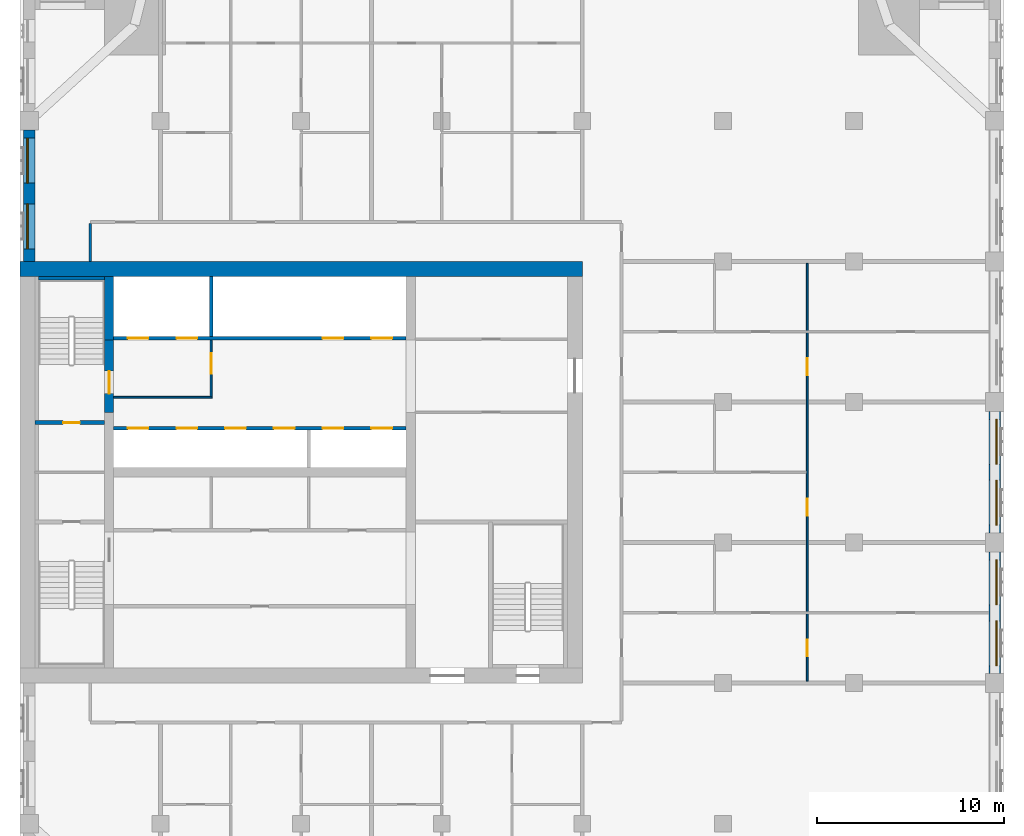
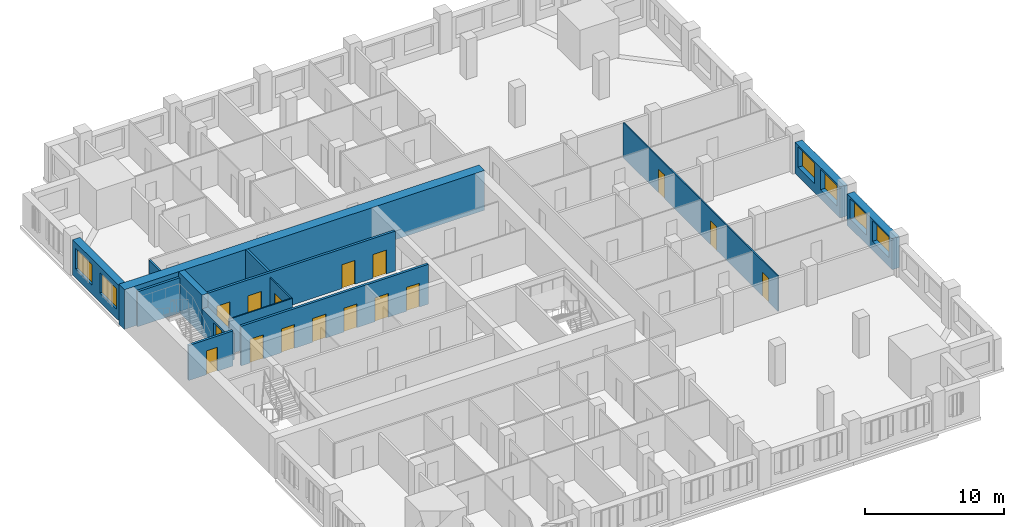
# One storey, part 9 of 14: 16 doors, 15 walls, 6 windows, 22 openings.
"""IFC4 building model written with IfcOpenShell, lengths in metres."""

from ifc_helpers import new_model, si_unit, direction, frame, frame_2d, origin, place, context, subcontext, project, spatial, rectangle, extrude, material, layer, layer_set, type_object, element, fill, save


model = new_model("IFC4")

# Units and contexts
model_context = context("Model", 3, precision=1e-05, world=origin(), true_north=direction((0.0, 1.0)))
body_context = subcontext(model_context, "Body", "Model", "MODEL_VIEW")
ifc_project = project(units=[si_unit("LENGTHUNIT", "METRE"), si_unit("AREAUNIT", "SQUARE_METRE"), si_unit("VOLUMEUNIT", "CUBIC_METRE"), si_unit("PLANEANGLEUNIT", "RADIAN"), si_unit("MASSUNIT", "GRAM", prefix="KILO")], contexts=[model_context])

# Site, building, storey
site_placement = place(None, origin())
site = spatial("IfcSite", under=ifc_project, at=site_placement, CompositionType="ELEMENT")
building_placement = place(site_placement, origin())
building = spatial("IfcBuilding", under=site, at=building_placement, Name="Tamorin Gate", CompositionType="ELEMENT")
storey_placement = place(building_placement, frame((0.0, 0.0, 210.699951171875)))
storey = spatial("IfcBuildingStorey", under=building, at=storey_placement, Name="L52", CompositionType="ELEMENT", Elevation=210.699951171875)

# Wall, openings, windows
ifc_material_1 = material(Name="Precast concrete C40/50", Category="concrete")
ifc_layer_1 = layer(ifc_material_1, 0.60009765625)
ifc_layer_set_1 = layer_set([ifc_layer_1], Name="Precast concrete C40/50")
wall_type_1 = type_object("IfcWallType", Name="Board-marked concrete facade panel 600", PredefinedType="SOLIDWALL", material=ifc_layer_set_1)
wall_1_placement = place(storey_placement, frame((82.0, 60.5, 0.0), z_axis=(0.0, 0.0, 1.0), x_axis=(0.0, 1.0, 0.0)))
wall_1 = element("IfcWall", 1, at=wall_1_placement, inside=storey, type_object=wall_type_1, Name="Facade panel", PredefinedType="SOLIDWALL", context=body_context, shape_type="SweptSolid", body=[
    extrude(rectangle(XDim=6.5, YDim=0.60009765625, at=frame_2d((3.25, 0.0))), origin(), (0.0, 0.0, 1.0), 2.75),
])
opening_1_placement = place(wall_1_placement, frame((0.425048828125, 0.0, 0.800048828125)))
opening_1 = element("IfcOpeningElement", 2, at=opening_1_placement, cuts=wall_1, Name="Opening WN1", PredefinedType="OPENING", context=body_context, shape_type="SweptSolid", body=[
    extrude(rectangle(XDim=2.39990234375, YDim=1.800048828125, at=frame_2d((1.199951171875, 0.89990234375))), frame((0.0, 0.31005859375, 0.0), z_axis=(0.0, -1.0, 0.0), x_axis=(1.0, 0.0, 0.0)), (0.0, 0.0, 1.0), 0.6201171875),
])
opening_2_placement = place(wall_1_placement, frame((3.675048828125, 0.0, 0.800048828125)))
opening_2 = element("IfcOpeningElement", 3, at=opening_2_placement, cuts=wall_1, Name="Opening WN1", PredefinedType="OPENING", context=body_context, shape_type="SweptSolid", body=[
    extrude(rectangle(XDim=2.39990234375, YDim=1.800048828125, at=frame_2d((1.199951171875, 0.89990234375))), frame((0.0, 0.31005859375, 0.0), z_axis=(0.0, -1.0, 0.0), x_axis=(1.0, 0.0, 0.0)), (0.0, 0.0, 1.0), 0.6201171875),
])
ifc_material_2 = material(Name="Clear glass in aluminium frame", Category="aluminium")
window_type = type_object("IfcWindowType", Name="Deep-set window 2400x1800", PartitioningType="SINGLE_PANEL", PredefinedType="WINDOW", material=ifc_material_2)
window_1_placement = place(opening_1_placement, origin())
window_1 = element("IfcWindow", 4, at=window_1_placement, inside=storey, type_object=window_type, Name="Deep-set window", OverallHeight=1.800048828125, OverallWidth=2.39990234375, PartitioningType="SINGLE_PANEL", PredefinedType="WINDOW", context=body_context, shape_type="SweptSolid", body=[
    extrude(rectangle(XDim=2.39990234375, YDim=1.800048828125, at=frame_2d((1.199951171875, 0.89990234375))), frame((0.0, -0.070068359375, 0.0), z_axis=(0.0, -1.0, 0.0), x_axis=(1.0, 0.0, 0.0)), (0.0, 0.0, 1.0), 0.06005859375),
])
fill(opening_1, window_1)
window_2_placement = place(opening_2_placement, origin())
window_2 = element("IfcWindow", 5, at=window_2_placement, inside=storey, type_object=window_type, Name="Deep-set window", OverallHeight=1.800048828125, OverallWidth=2.39990234375, PartitioningType="SINGLE_PANEL", PredefinedType="WINDOW", context=body_context, shape_type="SweptSolid", body=[
    extrude(rectangle(XDim=2.39990234375, YDim=1.800048828125, at=frame_2d((1.199951171875, 0.89990234375))), frame((0.0, -0.070068359375, 0.0), z_axis=(0.0, -1.0, 0.0), x_axis=(1.0, 0.0, 0.0)), (0.0, 0.0, 1.0), 0.06005859375),
])
fill(opening_2, window_2)

wall_2_placement = place(storey_placement, frame((82.0, 68.0, 0.0), z_axis=(0.0, 0.0, 1.0), x_axis=(0.0, 1.0, 0.0)))
wall_2 = element("IfcWall", 6, at=wall_2_placement, inside=storey, type_object=wall_type_1, Name="Facade panel", PredefinedType="SOLIDWALL", context=body_context, shape_type="SweptSolid", body=[
    extrude(rectangle(XDim=6.5, YDim=0.60009765625, at=frame_2d((3.25, 0.0))), origin(), (0.0, 0.0, 1.0), 2.75),
])
opening_3_placement = place(wall_2_placement, frame((0.425048828125, 0.0, 0.800048828125)))
opening_3 = element("IfcOpeningElement", 7, at=opening_3_placement, cuts=wall_2, Name="Opening WN1", PredefinedType="OPENING", context=body_context, shape_type="SweptSolid", body=[
    extrude(rectangle(XDim=2.39990234375, YDim=1.800048828125, at=frame_2d((1.199951171875, 0.89990234375))), frame((0.0, 0.31005859375, 0.0), z_axis=(0.0, -1.0, 0.0), x_axis=(1.0, 0.0, 0.0)), (0.0, 0.0, 1.0), 0.6201171875),
])
opening_4_placement = place(wall_2_placement, frame((3.675048828125, 0.0, 0.800048828125)))
opening_4 = element("IfcOpeningElement", 8, at=opening_4_placement, cuts=wall_2, Name="Opening WN1", PredefinedType="OPENING", context=body_context, shape_type="SweptSolid", body=[
    extrude(rectangle(XDim=2.39990234375, YDim=1.800048828125, at=frame_2d((1.199951171875, 0.89990234375))), frame((0.0, 0.31005859375, 0.0), z_axis=(0.0, -1.0, 0.0), x_axis=(1.0, 0.0, 0.0)), (0.0, 0.0, 1.0), 0.6201171875),
])
window_3_placement = place(opening_3_placement, origin())
window_3 = element("IfcWindow", 9, at=window_3_placement, inside=storey, type_object=window_type, Name="Deep-set window", OverallHeight=1.800048828125, OverallWidth=2.39990234375, PartitioningType="SINGLE_PANEL", PredefinedType="WINDOW", context=body_context, shape_type="SweptSolid", body=[
    extrude(rectangle(XDim=2.39990234375, YDim=1.800048828125, at=frame_2d((1.199951171875, 0.89990234375))), frame((0.0, -0.070068359375, 0.0), z_axis=(0.0, -1.0, 0.0), x_axis=(1.0, 0.0, 0.0)), (0.0, 0.0, 1.0), 0.06005859375),
])
fill(opening_3, window_3)
window_4_placement = place(opening_4_placement, origin())
window_4 = element("IfcWindow", 10, at=window_4_placement, inside=storey, type_object=window_type, Name="Deep-set window", OverallHeight=1.800048828125, OverallWidth=2.39990234375, PartitioningType="SINGLE_PANEL", PredefinedType="WINDOW", context=body_context, shape_type="SweptSolid", body=[
    extrude(rectangle(XDim=2.39990234375, YDim=1.800048828125, at=frame_2d((1.199951171875, 0.89990234375))), frame((0.0, -0.070068359375, 0.0), z_axis=(0.0, -1.0, 0.0), x_axis=(1.0, 0.0, 0.0)), (0.0, 0.0, 1.0), 0.06005859375),
])
fill(opening_4, window_4)

wall_3_placement = place(storey_placement, frame((30.5, 89.5, 0.0), z_axis=(0.0, 0.0, 1.0), x_axis=(0.0, -1.0, 0.0)))
wall_3 = element("IfcWall", 11, at=wall_3_placement, inside=storey, type_object=wall_type_1, Name="Facade panel", PredefinedType="SOLIDWALL", context=body_context, shape_type="SweptSolid", body=[
    extrude(rectangle(XDim=7.0, YDim=0.60009765625, at=frame_2d((3.5, 0.0))), origin(), (0.0, 0.0, 1.0), 3.10009765625),
])
opening_5_placement = place(wall_3_placement, frame((3.925048828125, 0.0, 0.800048828125)))
opening_5 = element("IfcOpeningElement", 12, at=opening_5_placement, cuts=wall_3, Name="Opening WN1", PredefinedType="OPENING", context=body_context, shape_type="SweptSolid", body=[
    extrude(rectangle(XDim=2.39990234375, YDim=1.800048828125, at=frame_2d((1.199951171875, 0.89990234375))), frame((0.0, 0.31005859375, 0.0), z_axis=(0.0, -1.0, 0.0), x_axis=(1.0, 0.0, 0.0)), (0.0, 0.0, 1.0), 0.6201171875),
])
opening_6_placement = place(wall_3_placement, frame((0.425048828125, 0.0, 0.800048828125)))
opening_6 = element("IfcOpeningElement", 13, at=opening_6_placement, cuts=wall_3, Name="Opening WN1", PredefinedType="OPENING", context=body_context, shape_type="SweptSolid", body=[
    extrude(rectangle(XDim=2.39990234375, YDim=1.800048828125, at=frame_2d((1.199951171875, 0.89990234375))), frame((0.0, 0.31005859375, 0.0), z_axis=(0.0, -1.0, 0.0), x_axis=(1.0, 0.0, 0.0)), (0.0, 0.0, 1.0), 0.6201171875),
])
window_5_placement = place(opening_5_placement, origin())
window_5 = element("IfcWindow", 14, at=window_5_placement, inside=storey, type_object=window_type, Name="Deep-set window", OverallHeight=1.800048828125, OverallWidth=2.39990234375, PartitioningType="SINGLE_PANEL", PredefinedType="WINDOW", context=body_context, shape_type="SweptSolid", body=[
    extrude(rectangle(XDim=2.39990234375, YDim=1.800048828125, at=frame_2d((1.199951171875, 0.89990234375))), frame((0.0, -0.070068359375, 0.0), z_axis=(0.0, -1.0, 0.0), x_axis=(1.0, 0.0, 0.0)), (0.0, 0.0, 1.0), 0.06005859375),
])
fill(opening_5, window_5)
window_6_placement = place(opening_6_placement, origin())
window_6 = element("IfcWindow", 15, at=window_6_placement, inside=storey, type_object=window_type, Name="Deep-set window", OverallHeight=1.800048828125, OverallWidth=2.39990234375, PartitioningType="SINGLE_PANEL", PredefinedType="WINDOW", context=body_context, shape_type="SweptSolid", body=[
    extrude(rectangle(XDim=2.39990234375, YDim=1.800048828125, at=frame_2d((1.199951171875, 0.89990234375))), frame((0.0, -0.070068359375, 0.0), z_axis=(0.0, -1.0, 0.0), x_axis=(1.0, 0.0, 0.0)), (0.0, 0.0, 1.0), 0.06005859375),
])
fill(opening_6, window_6)

# Wall
ifc_material_3 = material(Name="Gypsum board partition")
ifc_layer_2 = layer(ifc_material_3, 0.14990234375)
ifc_layer_set_2 = layer_set([ifc_layer_2], Name="Corridor wall 150")
wall_type_2 = type_object("IfcWallType", Name="Corridor wall 150", PredefinedType="PARTITIONING", material=ifc_layer_set_2)
wall_4_placement = place(storey_placement, frame((33.75, 82.5, 0.0), z_axis=(0.0, 0.0, 1.0), x_axis=(0.0, 1.0, 0.0)))
element("IfcWall", 16, at=wall_4_placement, inside=storey, type_object=wall_type_2, Name="Corridor wall 150", PredefinedType="PARTITIONING", context=body_context, shape_type="SweptSolid", body=[
    extrude(rectangle(XDim=2.02490234375, YDim=0.14990234375, at=frame_2d((1.012451171875, 0.0))), origin(), (0.0, 0.0, 1.0), 3.10009765625),
])

# Wall, openings, doors
ifc_material_4 = material(Name="Concrete C32/40", Category="concrete")
ifc_layer_3 = layer(ifc_material_4, 0.199951171875)
ifc_layer_set_3 = layer_set([ifc_layer_3], Name="Lift lobby face wall 200 EI 120")
wall_type_3 = type_object("IfcWallType", Name="Lift lobby face wall 200 EI 120", PredefinedType="SOLIDWALL", material=ifc_layer_set_3)
wall_5_placement = place(storey_placement, frame((35.0, 73.60009765625, 0.0), z_axis=(0.0, 0.0, 1.0), x_axis=(1.0, 0.0, 0.0)))
wall_5 = element("IfcWall", 17, at=wall_5_placement, inside=storey, type_object=wall_type_3, Name="Lift lobby face wall", PredefinedType="SOLIDWALL", context=body_context, shape_type="SweptSolid", body=[
    extrude(rectangle(XDim=15.60009765625, YDim=0.199951171875, at=frame_2d((7.800048828125, 0.0))), origin(), (0.0, 0.0, 1.0), 3.5),
])
opening_7_placement = place(wall_5_placement, frame((0.75, 0.0, 0.0)))
opening_7 = element("IfcOpeningElement", 18, at=opening_7_placement, cuts=wall_5, Name="Opening LD11", PredefinedType="OPENING", context=body_context, shape_type="SweptSolid", body=[
    extrude(rectangle(XDim=1.10009765625, YDim=2.10009765625, at=frame_2d((0.550048828125, 1.050048828125))), frame((0.0, 0.10986328125, 0.0), z_axis=(0.0, -1.0, 0.0), x_axis=(1.0, 0.0, 0.0)), (0.0, 0.0, 1.0), 0.219970703125),
])
opening_8_placement = place(wall_5_placement, frame((3.35009765625, 0.0, 0.0)))
opening_8 = element("IfcOpeningElement", 19, at=opening_8_placement, cuts=wall_5, Name="Opening LD12", PredefinedType="OPENING", context=body_context, shape_type="SweptSolid", body=[
    extrude(rectangle(XDim=1.10009765625, YDim=2.10009765625, at=frame_2d((0.550048828125, 1.050048828125))), frame((0.0, 0.10986328125, 0.0), z_axis=(0.0, -1.0, 0.0), x_axis=(1.0, 0.0, 0.0)), (0.0, 0.0, 1.0), 0.219970703125),
])
opening_9_placement = place(wall_5_placement, frame((5.949951171875, 0.0, 0.0)))
opening_9 = element("IfcOpeningElement", 20, at=opening_9_placement, cuts=wall_5, Name="Opening LD13", PredefinedType="OPENING", context=body_context, shape_type="SweptSolid", body=[
    extrude(rectangle(XDim=1.10009765625, YDim=2.10009765625, at=frame_2d((0.550048828125, 1.050048828125))), frame((0.0, 0.10986328125, 0.0), z_axis=(0.0, -1.0, 0.0), x_axis=(1.0, 0.0, 0.0)), (0.0, 0.0, 1.0), 0.219970703125),
])
opening_10_placement = place(wall_5_placement, frame((8.550048828125, 0.0, 0.0)))
opening_10 = element("IfcOpeningElement", 21, at=opening_10_placement, cuts=wall_5, Name="Opening LD14", PredefinedType="OPENING", context=body_context, shape_type="SweptSolid", body=[
    extrude(rectangle(XDim=1.10009765625, YDim=2.10009765625, at=frame_2d((0.550048828125, 1.050048828125))), frame((0.0, 0.10986328125, 0.0), z_axis=(0.0, -1.0, 0.0), x_axis=(1.0, 0.0, 0.0)), (0.0, 0.0, 1.0), 0.219970703125),
])
opening_11_placement = place(wall_5_placement, frame((11.14990234375, 0.0, 0.0)))
opening_11 = element("IfcOpeningElement", 22, at=opening_11_placement, cuts=wall_5, Name="Opening LD15", PredefinedType="OPENING", context=body_context, shape_type="SweptSolid", body=[
    extrude(rectangle(XDim=1.10009765625, YDim=2.10009765625, at=frame_2d((0.550048828125, 1.050048828125))), frame((0.0, 0.10986328125, 0.0), z_axis=(0.0, -1.0, 0.0), x_axis=(1.0, 0.0, 0.0)), (0.0, 0.0, 1.0), 0.219970703125),
])
opening_12_placement = place(wall_5_placement, frame((13.75, 0.0, 0.0)))
opening_12 = element("IfcOpeningElement", 23, at=opening_12_placement, cuts=wall_5, Name="Opening LD16", PredefinedType="OPENING", context=body_context, shape_type="SweptSolid", body=[
    extrude(rectangle(XDim=1.10009765625, YDim=2.10009765625, at=frame_2d((0.550048828125, 1.050048828125))), frame((0.0, 0.10986328125, 0.0), z_axis=(0.0, -1.0, 0.0), x_axis=(1.0, 0.0, 0.0)), (0.0, 0.0, 1.0), 0.219970703125),
])
ifc_material_5 = material(Name="Stainless steel sliding door", Category="steel")
door_type_1 = type_object("IfcDoorType", Name="Lift landing door 1100 x 2100 E 90", OperationType="DOUBLE_DOOR_SLIDING", PredefinedType="DOOR", material=ifc_material_5)
door_1_placement = place(opening_7_placement, origin())
door_1 = element("IfcDoor", 24, at=door_1_placement, inside=storey, type_object=door_type_1, Name="HR1 landing door", OperationType="DOUBLE_DOOR_SLIDING", OverallHeight=2.10009765625, OverallWidth=1.10009765625, PredefinedType="DOOR", context=body_context, shape_type="SweptSolid", body=[
    extrude(rectangle(XDim=1.10009765625, YDim=2.10009765625, at=frame_2d((0.550048828125, 1.050048828125))), frame((0.0, 0.02490234375, 0.0), z_axis=(0.0, -1.0, 0.0), x_axis=(1.0, 0.0, 0.0)), (0.0, 0.0, 1.0), 0.050048828125),
])
fill(opening_7, door_1)
door_2_placement = place(opening_8_placement, origin())
door_2 = element("IfcDoor", 25, at=door_2_placement, inside=storey, type_object=door_type_1, Name="HR2 landing door", OperationType="DOUBLE_DOOR_SLIDING", OverallHeight=2.10009765625, OverallWidth=1.10009765625, PredefinedType="DOOR", context=body_context, shape_type="SweptSolid", body=[
    extrude(rectangle(XDim=1.10009765625, YDim=2.10009765625, at=frame_2d((0.550048828125, 1.050048828125))), frame((0.0, 0.02490234375, 0.0), z_axis=(0.0, -1.0, 0.0), x_axis=(1.0, 0.0, 0.0)), (0.0, 0.0, 1.0), 0.050048828125),
])
fill(opening_8, door_2)
door_3_placement = place(opening_9_placement, origin())
door_3 = element("IfcDoor", 26, at=door_3_placement, inside=storey, type_object=door_type_1, Name="HR3 landing door", OperationType="DOUBLE_DOOR_SLIDING", OverallHeight=2.10009765625, OverallWidth=1.10009765625, PredefinedType="DOOR", context=body_context, shape_type="SweptSolid", body=[
    extrude(rectangle(XDim=1.10009765625, YDim=2.10009765625, at=frame_2d((0.550048828125, 1.050048828125))), frame((0.0, 0.02490234375, 0.0), z_axis=(0.0, -1.0, 0.0), x_axis=(1.0, 0.0, 0.0)), (0.0, 0.0, 1.0), 0.050048828125),
])
fill(opening_9, door_3)
door_4_placement = place(opening_10_placement, origin())
door_4 = element("IfcDoor", 27, at=door_4_placement, inside=storey, type_object=door_type_1, Name="HR4 landing door", OperationType="DOUBLE_DOOR_SLIDING", OverallHeight=2.10009765625, OverallWidth=1.10009765625, PredefinedType="DOOR", context=body_context, shape_type="SweptSolid", body=[
    extrude(rectangle(XDim=1.10009765625, YDim=2.10009765625, at=frame_2d((0.550048828125, 1.050048828125))), frame((0.0, 0.02490234375, 0.0), z_axis=(0.0, -1.0, 0.0), x_axis=(1.0, 0.0, 0.0)), (0.0, 0.0, 1.0), 0.050048828125),
])
fill(opening_10, door_4)
door_5_placement = place(opening_11_placement, origin())
door_5 = element("IfcDoor", 28, at=door_5_placement, inside=storey, type_object=door_type_1, Name="HR5 landing door", OperationType="DOUBLE_DOOR_SLIDING", OverallHeight=2.10009765625, OverallWidth=1.10009765625, PredefinedType="DOOR", context=body_context, shape_type="SweptSolid", body=[
    extrude(rectangle(XDim=1.10009765625, YDim=2.10009765625, at=frame_2d((0.550048828125, 1.050048828125))), frame((0.0, 0.02490234375, 0.0), z_axis=(0.0, -1.0, 0.0), x_axis=(1.0, 0.0, 0.0)), (0.0, 0.0, 1.0), 0.050048828125),
])
fill(opening_11, door_5)
door_6_placement = place(opening_12_placement, origin())
door_6 = element("IfcDoor", 29, at=door_6_placement, inside=storey, type_object=door_type_1, Name="HR6 landing door", OperationType="DOUBLE_DOOR_SLIDING", OverallHeight=2.10009765625, OverallWidth=1.10009765625, PredefinedType="DOOR", context=body_context, shape_type="SweptSolid", body=[
    extrude(rectangle(XDim=1.10009765625, YDim=2.10009765625, at=frame_2d((0.550048828125, 1.050048828125))), frame((0.0, 0.02490234375, 0.0), z_axis=(0.0, -1.0, 0.0), x_axis=(1.0, 0.0, 0.0)), (0.0, 0.0, 1.0), 0.050048828125),
])
fill(opening_12, door_6)

wall_6_placement = place(storey_placement, frame((35.0, 78.39990234375, 0.0), z_axis=(0.0, 0.0, 1.0), x_axis=(1.0, 0.0, 0.0)))
wall_6 = element("IfcWall", 30, at=wall_6_placement, inside=storey, type_object=wall_type_3, Name="Lift lobby face wall", PredefinedType="SOLIDWALL", context=body_context, shape_type="SweptSolid", body=[
    extrude(rectangle(XDim=15.60009765625, YDim=0.199951171875, at=frame_2d((7.800048828125, 0.0))), origin(), (0.0, 0.0, 1.0), 3.5),
])
opening_13_placement = place(wall_6_placement, frame((0.75, 0.0, 0.0)))
opening_13 = element("IfcOpeningElement", 31, at=opening_13_placement, cuts=wall_6, Name="Opening LD17", PredefinedType="OPENING", context=body_context, shape_type="SweptSolid", body=[
    extrude(rectangle(XDim=1.10009765625, YDim=2.10009765625, at=frame_2d((0.550048828125, 1.050048828125))), frame((0.0, 0.10986328125, 0.0), z_axis=(0.0, -1.0, 0.0), x_axis=(1.0, 0.0, 0.0)), (0.0, 0.0, 1.0), 0.219970703125),
])
opening_14_placement = place(wall_6_placement, frame((3.35009765625, 0.0, 0.0)))
opening_14 = element("IfcOpeningElement", 32, at=opening_14_placement, cuts=wall_6, Name="Opening LD18", PredefinedType="OPENING", context=body_context, shape_type="SweptSolid", body=[
    extrude(rectangle(XDim=1.10009765625, YDim=2.10009765625, at=frame_2d((0.550048828125, 1.050048828125))), frame((0.0, 0.10986328125, 0.0), z_axis=(0.0, -1.0, 0.0), x_axis=(1.0, 0.0, 0.0)), (0.0, 0.0, 1.0), 0.219970703125),
])
opening_15_placement = place(wall_6_placement, frame((11.14990234375, 0.0, 0.0)))
opening_15 = element("IfcOpeningElement", 33, at=opening_15_placement, cuts=wall_6, Name="Opening LD21", PredefinedType="OPENING", context=body_context, shape_type="SweptSolid", body=[
    extrude(rectangle(XDim=1.10009765625, YDim=2.10009765625, at=frame_2d((0.550048828125, 1.050048828125))), frame((0.0, 0.10986328125, 0.0), z_axis=(0.0, -1.0, 0.0), x_axis=(1.0, 0.0, 0.0)), (0.0, 0.0, 1.0), 0.219970703125),
])
opening_16_placement = place(wall_6_placement, frame((13.75, 0.0, 0.0)))
opening_16 = element("IfcOpeningElement", 34, at=opening_16_placement, cuts=wall_6, Name="Opening LD22", PredefinedType="OPENING", context=body_context, shape_type="SweptSolid", body=[
    extrude(rectangle(XDim=1.10009765625, YDim=2.10009765625, at=frame_2d((0.550048828125, 1.050048828125))), frame((0.0, 0.10986328125, 0.0), z_axis=(0.0, -1.0, 0.0), x_axis=(1.0, 0.0, 0.0)), (0.0, 0.0, 1.0), 0.219970703125),
])
door_7_placement = place(opening_13_placement, origin())
door_7 = element("IfcDoor", 35, at=door_7_placement, inside=storey, type_object=door_type_1, Name="FF1 landing door", OperationType="DOUBLE_DOOR_SLIDING", OverallHeight=2.10009765625, OverallWidth=1.10009765625, PredefinedType="DOOR", context=body_context, shape_type="SweptSolid", body=[
    extrude(rectangle(XDim=1.10009765625, YDim=2.10009765625, at=frame_2d((0.550048828125, 1.050048828125))), frame((0.0, 0.02490234375, 0.0), z_axis=(0.0, -1.0, 0.0), x_axis=(1.0, 0.0, 0.0)), (0.0, 0.0, 1.0), 0.050048828125),
])
fill(opening_13, door_7)
door_8_placement = place(opening_14_placement, origin())
door_8 = element("IfcDoor", 36, at=door_8_placement, inside=storey, type_object=door_type_1, Name="FF2 landing door", OperationType="DOUBLE_DOOR_SLIDING", OverallHeight=2.10009765625, OverallWidth=1.10009765625, PredefinedType="DOOR", context=body_context, shape_type="SweptSolid", body=[
    extrude(rectangle(XDim=1.10009765625, YDim=2.10009765625, at=frame_2d((0.550048828125, 1.050048828125))), frame((0.0, 0.02490234375, 0.0), z_axis=(0.0, -1.0, 0.0), x_axis=(1.0, 0.0, 0.0)), (0.0, 0.0, 1.0), 0.050048828125),
])
fill(opening_14, door_8)
door_9_placement = place(opening_15_placement, origin())
door_9 = element("IfcDoor", 37, at=door_9_placement, inside=storey, type_object=door_type_1, Name="SV1 landing door", OperationType="DOUBLE_DOOR_SLIDING", OverallHeight=2.10009765625, OverallWidth=1.10009765625, PredefinedType="DOOR", context=body_context, shape_type="SweptSolid", body=[
    extrude(rectangle(XDim=1.10009765625, YDim=2.10009765625, at=frame_2d((0.550048828125, 1.050048828125))), frame((0.0, 0.02490234375, 0.0), z_axis=(0.0, -1.0, 0.0), x_axis=(1.0, 0.0, 0.0)), (0.0, 0.0, 1.0), 0.050048828125),
])
fill(opening_15, door_9)
door_10_placement = place(opening_16_placement, origin())
door_10 = element("IfcDoor", 38, at=door_10_placement, inside=storey, type_object=door_type_1, Name="SV2 landing door", OperationType="DOUBLE_DOOR_SLIDING", OverallHeight=2.10009765625, OverallWidth=1.10009765625, PredefinedType="DOOR", context=body_context, shape_type="SweptSolid", body=[
    extrude(rectangle(XDim=1.10009765625, YDim=2.10009765625, at=frame_2d((0.550048828125, 1.050048828125))), frame((0.0, 0.02490234375, 0.0), z_axis=(0.0, -1.0, 0.0), x_axis=(1.0, 0.0, 0.0)), (0.0, 0.0, 1.0), 0.050048828125),
])
fill(opening_16, door_10)

# Walls
ifc_layer_4 = layer(ifc_material_4, 0.199951171875)
ifc_layer_set_4 = layer_set([ifc_layer_4], Name="Lift shaft wall 200 EI 120")
wall_type_4 = type_object("IfcWallType", Name="Lift shaft wall 200 EI 120", PredefinedType="SOLIDWALL", material=ifc_layer_set_4)
wall_7_placement = place(storey_placement, frame((40.199951171875, 78.5, 0.0), z_axis=(0.0, 0.0, 1.0), x_axis=(0.0, 1.0, 0.0)))
element("IfcWall", 39, at=wall_7_placement, inside=storey, type_object=wall_type_4, Name="Lift shaft wall", PredefinedType="SOLIDWALL", context=body_context, shape_type="SweptSolid", body=[
    extrude(rectangle(XDim=3.199951171875, YDim=0.199951171875, at=frame_2d((1.60009765625, 0.0))), origin(), (0.0, 0.0, 1.0), 3.5),
])
ifc_material_6 = material(Name="Fire-rated gypsum board partition")
ifc_layer_5 = layer(ifc_material_6, 0.10009765625)
ifc_layer_set_5 = layer_set([ifc_layer_5], Name="Lobby wall 100 EI 60")
wall_type_5 = type_object("IfcWallType", Name="Lobby wall 100 EI 60", PredefinedType="PARTITIONING", material=ifc_layer_set_5)
wall_8_placement = place(storey_placement, frame((35.0, 75.25, 0.0), z_axis=(0.0, 0.0, 1.0), x_axis=(1.0, 0.0, 0.0)))
element("IfcWall", 40, at=wall_8_placement, inside=storey, type_object=wall_type_5, Name="Firefighting lobby wall", PredefinedType="PARTITIONING", context=body_context, shape_type="SweptSolid", body=[
    extrude(rectangle(XDim=5.25, YDim=0.10009765625, at=frame_2d((2.625, 0.0))), origin(), (0.0, 0.0, 1.0), 3.090087890625),
])

# Wall, opening, door
wall_9_placement = place(storey_placement, frame((40.199951171875, 75.300048828125, 0.0), z_axis=(0.0, 0.0, 1.0), x_axis=(0.0, 1.0, 0.0)))
wall_9 = element("IfcWall", 41, at=wall_9_placement, inside=storey, type_object=wall_type_5, Name="Firefighting lobby wall", PredefinedType="PARTITIONING", context=body_context, shape_type="SweptSolid", body=[
    extrude(rectangle(XDim=3.0, YDim=0.10009765625, at=frame_2d((1.5, 0.0))), origin(), (0.0, 0.0, 1.0), 3.090087890625),
])
opening_17_placement = place(wall_9_placement, frame((1.199951171875, 0.0, 0.0)))
opening_17 = element("IfcOpeningElement", 42, at=opening_17_placement, cuts=wall_9, Name="Opening DF1", PredefinedType="OPENING", context=body_context, shape_type="SweptSolid", body=[
    extrude(rectangle(XDim=1.10009765625, YDim=2.10009765625, at=frame_2d((0.550048828125, 1.050048828125))), frame((0.0, 0.06005859375, 0.0), z_axis=(0.0, -1.0, 0.0), x_axis=(1.0, 0.0, 0.0)), (0.0, 0.0, 1.0), 0.1201171875),
])
ifc_material_7 = material(Name="Steel fire door", Category="steel")
door_type_2 = type_object("IfcDoorType", Name="Firefighting lobby door 1100 x 2100 EI 90", OperationType="SINGLE_SWING_LEFT", PredefinedType="DOOR", material=ifc_material_7)
door_11_placement = place(opening_17_placement, origin())
door_11 = element("IfcDoor", 43, at=door_11_placement, inside=storey, type_object=door_type_2, Name="Firefighting lobby door", OperationType="SINGLE_SWING_LEFT", OverallHeight=2.10009765625, OverallWidth=1.10009765625, PredefinedType="DOOR", context=body_context, shape_type="SweptSolid", body=[
    extrude(rectangle(XDim=1.10009765625, YDim=2.10009765625, at=frame_2d((0.550048828125, 1.050048828125))), frame((0.0, 0.02490234375, 0.0), z_axis=(0.0, -1.0, 0.0), x_axis=(1.0, 0.0, 0.0)), (0.0, 0.0, 1.0), 0.050048828125),
])
fill(opening_17, door_11)

# Walls
ifc_material_8 = material(Name="Concrete C60/75", Category="concrete")
ifc_layer_6 = layer(ifc_material_8, 0.5)
ifc_layer_set_6 = layer_set([ifc_layer_6], Name="RC core internal wall 500 C60/75")
wall_type_6 = type_object("IfcWallType", Name="RC core internal wall 500 C60/75", PredefinedType="SHEAR", material=ifc_layer_set_6)
wall_10_placement = place(storey_placement, frame((34.75, 78.300048828125, 0.0), z_axis=(0.0, 0.0, 1.0), x_axis=(0.0, 1.0, 0.0)))
element("IfcWall", 44, at=wall_10_placement, inside=storey, type_object=wall_type_6, Name="Core cross wall L52", PredefinedType="SHEAR", context=body_context, shape_type="SweptSolid", body=[
    extrude(rectangle(XDim=3.39990234375, YDim=0.5, at=frame_2d((1.699951171875, 0.0))), origin(), (0.0, 0.0, 1.0), 3.5),
])
ifc_layer_7 = layer(ifc_material_8, 0.800048828125)
ifc_layer_set_7 = layer_set([ifc_layer_7], Name="RC core wall 800 C60/75")
wall_type_7 = type_object("IfcWallType", Name="RC core wall 800 C60/75", PredefinedType="SHEAR", material=ifc_layer_set_7)
wall_11_placement = place(storey_placement, frame((30.0, 82.10009765625, 0.0), z_axis=(0.0, 0.0, 1.0), x_axis=(1.0, 0.0, 0.0)))
element("IfcWall", 45, at=wall_11_placement, inside=storey, type_object=wall_type_7, Name="Core wall L52", PredefinedType="SHEAR", context=body_context, shape_type="SweptSolid", body=[
    extrude(rectangle(XDim=30.0, YDim=0.800048828125, at=frame_2d((15.0, 0.0))), origin(), (0.0, 0.0, 1.0), 3.5),
])

# Wall, openings, doors
ifc_layer_8 = layer(ifc_material_3, 0.10009765625)
ifc_layer_set_8 = layer_set([ifc_layer_8], Name="Room partition 100")
wall_type_8 = type_object("IfcWallType", Name="Room partition 100", PredefinedType="PARTITIONING", material=ifc_layer_set_8)
wall_12_placement = place(storey_placement, frame((72.0, 60.10009765625, 0.0), z_axis=(0.0, 0.0, 1.0), x_axis=(0.0, 1.0, 0.0)))
wall_12 = element("IfcWall", 46, at=wall_12_placement, inside=storey, type_object=wall_type_8, Name="Room partition 100", PredefinedType="PARTITIONING", context=body_context, shape_type="SweptSolid", body=[
    extrude(rectangle(XDim=22.2998046875, YDim=0.10009765625, at=frame_2d((11.14990234375, 0.0))), origin(), (0.0, 0.0, 1.0), 3.10009765625),
])
opening_18_placement = place(wall_12_placement, frame((1.324951171875, 0.0, 0.0)))
opening_18 = element("IfcOpeningElement", 47, at=opening_18_placement, cuts=wall_12, Name="Opening DR2037", PredefinedType="OPENING", context=body_context, shape_type="SweptSolid", body=[
    extrude(rectangle(XDim=0.89990234375, YDim=2.10009765625, at=frame_2d((0.449951171875, 1.050048828125))), frame((0.0, 0.06005859375, 0.0), z_axis=(0.0, -1.0, 0.0), x_axis=(1.0, 0.0, 0.0)), (0.0, 0.0, 1.0), 0.1201171875),
])
opening_19_placement = place(wall_12_placement, frame((8.824951171875, 0.0, 0.0)))
opening_19 = element("IfcOpeningElement", 48, at=opening_19_placement, cuts=wall_12, Name="Opening DR2042", PredefinedType="OPENING", context=body_context, shape_type="SweptSolid", body=[
    extrude(rectangle(XDim=0.89990234375, YDim=2.10009765625, at=frame_2d((0.449951171875, 1.050048828125))), frame((0.0, 0.06005859375, 0.0), z_axis=(0.0, -1.0, 0.0), x_axis=(1.0, 0.0, 0.0)), (0.0, 0.0, 1.0), 0.1201171875),
])
opening_20_placement = place(wall_12_placement, frame((16.324951171875, 0.0, 0.0)))
opening_20 = element("IfcOpeningElement", 49, at=opening_20_placement, cuts=wall_12, Name="Opening DR2046", PredefinedType="OPENING", context=body_context, shape_type="SweptSolid", body=[
    extrude(rectangle(XDim=0.89990234375, YDim=2.10009765625, at=frame_2d((0.449951171875, 1.050048828125))), frame((0.0, 0.06005859375, 0.0), z_axis=(0.0, -1.0, 0.0), x_axis=(1.0, 0.0, 0.0)), (0.0, 0.0, 1.0), 0.1201171875),
])
ifc_material_9 = material(Name="Timber door leaf", Category="wood")
door_type_3 = type_object("IfcDoorType", Name="Door 900 x 2100", OperationType="NOTDEFINED", PredefinedType="DOOR", material=ifc_material_9)
door_12_placement = place(opening_18_placement, origin())
door_12 = element("IfcDoor", 50, at=door_12_placement, inside=storey, type_object=door_type_3, Name="Door DR2037", OperationType="SINGLE_SWING_LEFT", OverallHeight=2.10009765625, OverallWidth=0.89990234375, PredefinedType="DOOR", context=body_context, shape_type="SweptSolid", body=[
    extrude(rectangle(XDim=0.89990234375, YDim=2.10009765625, at=frame_2d((0.449951171875, 1.050048828125))), frame((0.0, 0.02490234375, 0.0), z_axis=(0.0, -1.0, 0.0), x_axis=(1.0, 0.0, 0.0)), (0.0, 0.0, 1.0), 0.050048828125),
])
fill(opening_18, door_12)
door_13_placement = place(opening_19_placement, origin())
door_13 = element("IfcDoor", 51, at=door_13_placement, inside=storey, type_object=door_type_3, Name="Door DR2042", OperationType="SINGLE_SWING_LEFT", OverallHeight=2.10009765625, OverallWidth=0.89990234375, PredefinedType="DOOR", context=body_context, shape_type="SweptSolid", body=[
    extrude(rectangle(XDim=0.89990234375, YDim=2.10009765625, at=frame_2d((0.449951171875, 1.050048828125))), frame((0.0, 0.02490234375, 0.0), z_axis=(0.0, -1.0, 0.0), x_axis=(1.0, 0.0, 0.0)), (0.0, 0.0, 1.0), 0.050048828125),
])
fill(opening_19, door_13)
door_14_placement = place(opening_20_placement, origin())
door_14 = element("IfcDoor", 52, at=door_14_placement, inside=storey, type_object=door_type_3, Name="Door DR2046", OperationType="SINGLE_SWING_LEFT", OverallHeight=2.10009765625, OverallWidth=0.89990234375, PredefinedType="DOOR", context=body_context, shape_type="SweptSolid", body=[
    extrude(rectangle(XDim=0.89990234375, YDim=2.10009765625, at=frame_2d((0.449951171875, 1.050048828125))), frame((0.0, 0.02490234375, 0.0), z_axis=(0.0, -1.0, 0.0), x_axis=(1.0, 0.0, 0.0)), (0.0, 0.0, 1.0), 0.050048828125),
])
fill(opening_20, door_14)

# Wall, opening, door
ifc_material_10 = material(Name="Concrete C40/50", Category="concrete")
ifc_layer_9 = layer(ifc_material_10, 0.199951171875)
ifc_layer_set_9 = layer_set([ifc_layer_9], Name="Stair enclosure wall 200 EI 120 C40/50")
wall_type_9 = type_object("IfcWallType", Name="Stair enclosure wall 200 EI 120 C40/50", PredefinedType="SOLIDWALL", material=ifc_layer_set_9)
wall_13_placement = place(storey_placement, frame((30.800048828125, 73.89990234375, 0.0), z_axis=(0.0, 0.0, 1.0), x_axis=(1.0, 0.0, 0.0)))
wall_13 = element("IfcWall", 53, at=wall_13_placement, inside=storey, type_object=wall_type_9, Name="Stair enclosure wall", PredefinedType="SOLIDWALL", context=body_context, shape_type="SweptSolid", body=[
    extrude(rectangle(XDim=3.699951171875, YDim=0.199951171875, at=frame_2d((1.85009765625, 0.0))), origin(), (0.0, 0.0, 1.0), 3.090087890625),
])
opening_21_placement = place(wall_13_placement, frame((1.5, 0.0, 0.0)))
opening_21 = element("IfcOpeningElement", 54, at=opening_21_placement, cuts=wall_13, Name="Opening DR1", PredefinedType="OPENING", context=body_context, shape_type="SweptSolid", body=[
    extrude(rectangle(XDim=0.89990234375, YDim=2.10009765625, at=frame_2d((0.449951171875, 1.050048828125))), frame((0.0, 0.10986328125, 0.0), z_axis=(0.0, -1.0, 0.0), x_axis=(1.0, 0.0, 0.0)), (0.0, 0.0, 1.0), 0.219970703125),
])
door_type_4 = type_object("IfcDoorType", Name="Riser access door 900 x 2100 EI 120", OperationType="SINGLE_SWING_LEFT", PredefinedType="DOOR", material=ifc_material_7)
door_15_placement = place(opening_21_placement, origin())
door_15 = element("IfcDoor", 55, at=door_15_placement, inside=storey, type_object=door_type_4, Name="Communications riser door", OperationType="SINGLE_SWING_RIGHT", OverallHeight=2.10009765625, OverallWidth=0.89990234375, PredefinedType="DOOR", context=body_context, shape_type="SweptSolid", body=[
    extrude(rectangle(XDim=0.89990234375, YDim=2.10009765625, at=frame_2d((0.449951171875, 1.050048828125))), frame((0.0, 0.02490234375, 0.0), z_axis=(0.0, -1.0, 0.0), x_axis=(1.0, 0.0, 0.0)), (0.0, 0.0, 1.0), 0.050048828125),
])
fill(opening_21, door_15)

# Wall
ifc_layer_10 = layer(ifc_material_8, 0.199951171875)
ifc_layer_set_10 = layer_set([ifc_layer_10], Name="Stair lining wall 200 EI 120 C60/75")
wall_type_10 = type_object("IfcWallType", Name="Stair lining wall 200 EI 120 C60/75", PredefinedType="SOLIDWALL", material=ifc_layer_set_10)
wall_14_placement = place(storey_placement, frame((31.0, 81.60009765625, 0.0), z_axis=(0.0, 0.0, 1.0), x_axis=(1.0, 0.0, 0.0)))
element("IfcWall", 56, at=wall_14_placement, inside=storey, type_object=wall_type_10, Name="Stair lining wall", PredefinedType="SOLIDWALL", context=body_context, shape_type="SweptSolid", body=[
    extrude(rectangle(XDim=3.5, YDim=0.199951171875, at=frame_2d((1.75, 0.0))), origin(), (0.0, 0.0, 1.0), 3.090087890625),
])

# Wall, opening, door
ifc_layer_11 = layer(ifc_material_4, 0.5)
ifc_layer_set_11 = layer_set([ifc_layer_11], Name="Stair lobby infill wall 500 EI 120")
wall_type_11 = type_object("IfcWallType", Name="Stair lobby infill wall 500 EI 120", PredefinedType="SOLIDWALL", material=ifc_layer_set_11)
wall_15_placement = place(storey_placement, frame((34.75, 74.449951171875, 0.0), z_axis=(0.0, 0.0, 1.0), x_axis=(0.0, 1.0, 0.0)))
wall_15 = element("IfcWall", 57, at=wall_15_placement, inside=storey, type_object=wall_type_11, Name="Stair lobby infill wall", PredefinedType="SOLIDWALL", context=body_context, shape_type="SweptSolid", body=[
    extrude(rectangle(XDim=3.85009765625, YDim=0.5, at=frame_2d((1.925048828125, 0.0))), origin(), (0.0, 0.0, 1.0), 2.300048828125),
])
opening_22_placement = place(wall_15_placement, frame((1.0, 0.0, 0.0)))
opening_22 = element("IfcOpeningElement", 58, at=opening_22_placement, cuts=wall_15, Name="Opening DS1", PredefinedType="OPENING", context=body_context, shape_type="SweptSolid", body=[
    extrude(rectangle(XDim=1.199951171875, YDim=2.10009765625, at=frame_2d((0.60009765625, 1.050048828125))), frame((0.0, 0.260009765625, 0.0), z_axis=(0.0, -1.0, 0.0), x_axis=(1.0, 0.0, 0.0)), (0.0, 0.0, 1.0), 0.52001953125),
])
door_type_5 = type_object("IfcDoorType", Name="Stair door 1200 x 2100 EI 90", OperationType="SINGLE_SWING_LEFT", PredefinedType="DOOR", material=ifc_material_7)
door_16_placement = place(opening_22_placement, origin())
door_16 = element("IfcDoor", 59, at=door_16_placement, inside=storey, type_object=door_type_5, Name="ST2 door", OperationType="SINGLE_SWING_RIGHT", OverallHeight=2.10009765625, OverallWidth=1.199951171875, PredefinedType="DOOR", context=body_context, shape_type="SweptSolid", body=[
    extrude(rectangle(XDim=1.199951171875, YDim=2.10009765625, at=frame_2d((0.60009765625, 1.050048828125))), frame((0.0, 0.02490234375, 0.0), z_axis=(0.0, -1.0, 0.0), x_axis=(1.0, 0.0, 0.0)), (0.0, 0.0, 1.0), 0.050048828125),
])
fill(opening_22, door_16)

save(model, "model.ifc")
